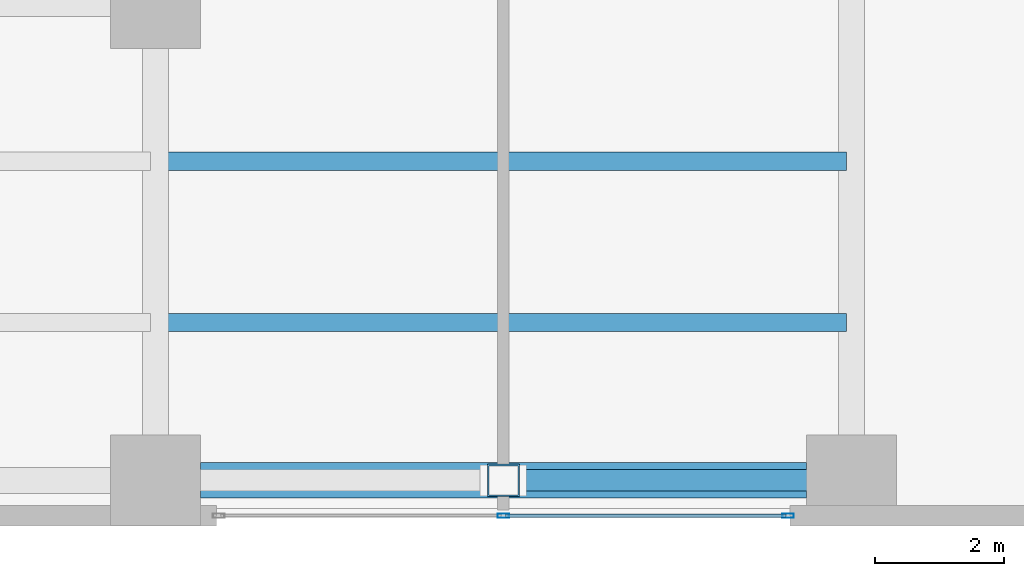
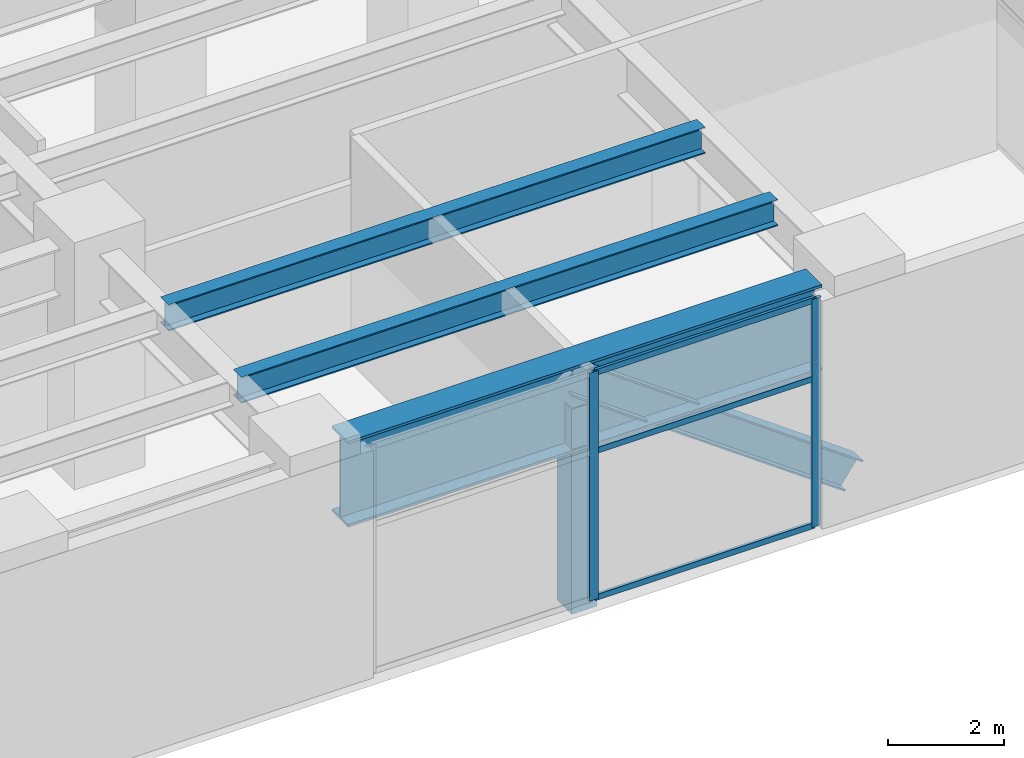
# One storey, part 7 of 29: 6 members, 4 beams, 1 element without a shape of its own.
"""IFC4 building model written with IfcOpenShell, lengths in metres."""

import ifcopenshell
import ifcopenshell.guid

model = None  # the IFC model being written
_history = None  # IfcOwnerHistory: only IFC2X3 demands one
_inside = {}  # id of a spatial element -> (the spatial element, [elements in it])
_under = {}  # id of a project, library or spatial element -> (it, [spatial elements below it])
_declared = {}  # id of a project -> (the project, [libraries it declares])
_typed = {}  # id of a type object -> (the type object, [elements of that type])
_made_of = {}  # id of a material, layer set ... -> (it, [elements and type objects made of it])


def new_model(schema):
    """Start an empty IFC model of exactly this schema.

    Asked for "IFC4X3", IfcOpenShell would pick the latest addendum, in which some entities
    have other attributes; the version numbers below select the first issue.
    IFC2X3 requires an IfcOwnerHistory on every rooted entity: one is made here for all.
    """
    global model, _history
    if schema == "IFC4X3":
        model = ifcopenshell.file(schema_version=(4, 3, 0, 0))
    else:
        model = ifcopenshell.file(schema=schema)
    _inside.clear()
    _under.clear()
    _declared.clear()
    _typed.clear()
    _made_of.clear()
    _history = None
    if model.schema == "IFC2X3":
        org = make("IfcOrganization", Name="unknown")
        user = make(
            "IfcPersonAndOrganization",
            ThePerson=make("IfcPerson", FamilyName="unknown"),
            TheOrganization=org,
        )
        app = make(
            "IfcApplication",
            ApplicationDeveloper=org,
            Version="unknown",
            ApplicationFullName="unknown",
            ApplicationIdentifier="unknown",
        )
        _history = make(
            "IfcOwnerHistory",
            OwningUser=user,
            OwningApplication=app,
            ChangeAction="ADDED",
            CreationDate=0,
        )
    return model


def make(cls, **values):
    """One entity of the class cls with the attributes given. An attribute that is None is left unset."""
    return model.create_entity(
        cls, **{name: value for name, value in values.items() if value is not None}
    )


def rooted(cls, **values):
    """An entity with a GlobalId (a new one), such as an element, a storey or a relation."""
    return make(cls, GlobalId=ifcopenshell.guid.new(), OwnerHistory=_history, **values)


def si_unit(unit_type, name, prefix=None):
    """IfcSIUnit, for example si_unit("LENGTHUNIT", "METRE", prefix="MILLI")."""
    return make("IfcSIUnit", UnitType=unit_type, Prefix=prefix, Name=name)


def assignment(units):
    """IfcUnitAssignment: the units of a project."""
    return None if units is None else make("IfcUnitAssignment", Units=units)


def point(xyz):
    """IfcCartesianPoint."""
    return None if xyz is None else make("IfcCartesianPoint", Coordinates=xyz)


def direction(xyz):
    """IfcDirection."""
    return None if xyz is None else make("IfcDirection", DirectionRatios=xyz)


def frame(location, z_axis=None, x_axis=None):
    """IfcAxis2Placement3D, a coordinate frame: its origin and axes. An axis left out is left unset."""
    return make(
        "IfcAxis2Placement3D",
        Location=point(location),
        Axis=direction(z_axis),
        RefDirection=direction(x_axis),
    )


def frame_2d(location, x_axis=None):
    """IfcAxis2Placement2D, a coordinate frame in the plane: its origin and x axis."""
    return make(
        "IfcAxis2Placement2D", Location=point(location), RefDirection=direction(x_axis)
    )


def origin():
    """The frame at (0, 0, 0) with its axes left unset."""
    return frame((0.0, 0.0, 0.0))


def origin_2d():
    """The frame at (0, 0) in the plane with its x axis left unset."""
    return frame_2d((0.0, 0.0))


def place(relative_to, where):
    """IfcLocalPlacement: puts the frame where relative to a parent placement (None: the world)."""
    return make(
        "IfcLocalPlacement", PlacementRelTo=relative_to, RelativePlacement=where
    )


def context(
    kind, dimensions, precision=None, world=None, true_north=None, identifier=None
):
    """IfcGeometricRepresentationContext, for example the 3D "Model" context."""
    return make(
        "IfcGeometricRepresentationContext",
        ContextIdentifier=identifier,
        ContextType=kind,
        CoordinateSpaceDimension=dimensions,
        Precision=precision,
        WorldCoordinateSystem=world,
        TrueNorth=true_north,
    )


def subcontext(parent, identifier, kind, view, scale=None):
    """IfcGeometricRepresentationSubContext, for example "Body" below "Model"."""
    return make(
        "IfcGeometricRepresentationSubContext",
        ContextIdentifier=identifier,
        ContextType=kind,
        ParentContext=parent,
        TargetScale=scale,
        TargetView=view,
    )


def project(units=None, contexts=None):
    """IfcProject with its units and contexts."""
    return rooted(
        "IfcProject",
        Name="project",
        RepresentationContexts=contexts,
        UnitsInContext=assignment(units),
    )


def spatial(cls, under=None, at=None, **own):
    """A site, building, storey or space (cls), placed at a placement, below another one or the project."""
    s = rooted(cls, ObjectPlacement=at, **own)
    if under is not None:
        _under.setdefault(under.id(), (under, []))[1].append(s)
    return s


def profile(cls, at=None, kind="AREA", **sizes):
    """A parametric profile (cls). Its sizes go by their IFC names, for example OverallWidth=200.0."""
    return make(cls, ProfileType=kind, Position=at, **sizes)


def hollow_rectangle(**sizes):
    """IfcRectangleHollowProfileDef."""
    return profile("IfcRectangleHollowProfileDef", **sizes)


def i_section(**sizes):
    """IfcIShapeProfileDef."""
    return profile("IfcIShapeProfileDef", **sizes)


def extrude(swept, where, along, depth):
    """IfcExtrudedAreaSolid: the profile swept, set in the frame where, extruded along a direction by depth."""
    return make(
        "IfcExtrudedAreaSolid",
        SweptArea=swept,
        Position=where,
        ExtrudedDirection=direction(along),
        Depth=depth,
    )


def shape(context_of_items, identifier, shape_type, items):
    """IfcShapeRepresentation: the items that make up one representation, for example the "Body"."""
    return make(
        "IfcShapeRepresentation",
        ContextOfItems=context_of_items,
        RepresentationIdentifier=identifier,
        RepresentationType=shape_type,
        Items=items,
    )


def material(Name=None, Category=None):
    """IfcMaterial."""
    return make("IfcMaterial", Name=Name, Category=Category)


def layer(
    of_material, thickness, ventilated=None, Name=None, Category=None, Priority=None
):
    """IfcMaterialLayer: one layer of a wall or slab, of a material (None: an air gap)."""
    return make(
        "IfcMaterialLayer",
        Material=of_material,
        LayerThickness=thickness,
        IsVentilated=ventilated,
        Name=Name,
        Category=Category,
        Priority=Priority,
    )


def layer_set(layers, Name=None):
    """IfcMaterialLayerSet."""
    return make("IfcMaterialLayerSet", MaterialLayers=layers, LayerSetName=Name)


def material_profile(
    of_material, cross_section, Name=None, Category=None, Priority=None
):
    """IfcMaterialProfile: a cross section and its material."""
    return make(
        "IfcMaterialProfile",
        Name=Name,
        Material=of_material,
        Profile=cross_section,
        Priority=Priority,
        Category=Category,
    )


def profile_set(profiles, Name=None, composite=None):
    """IfcMaterialProfileSet."""
    return make(
        "IfcMaterialProfileSet",
        Name=Name,
        MaterialProfiles=profiles,
        CompositeProfile=composite,
    )


def made_of(thing, what):
    """Note that an element or type object is made of a material, layer set ...; save() writes the relation."""
    if what is not None:
        _made_of.setdefault(what.id(), (what, []))[1].append(thing)
    return thing


def type_object(cls, material=None, **own):
    """A type object (cls), such as IfcWallType, which elements share."""
    return made_of(rooted(cls, **own), material)


def element(
    cls,
    number,
    at=None,
    inside=None,
    cuts=None,
    type_object=None,
    material=None,
    context=None,
    identifier="Body",
    shape_type=None,
    held_by="IfcProductDefinitionShape",
    body=None,
    shapes=None,
    **own,
):
    """One element of the class cls, such as IfcWall. Its Tag is "e" and its number.

    at: its placement. inside: the storey or other place that contains it. cuts: it is an
    opening in that element (IfcRelVoidsElement). A single representation is given by context,
    identifier, shape_type and body (its items); several are given by shapes. held_by: the class
    of the entity that holds the representations. save() writes the other relations.
    """
    e = rooted(cls, Tag="e%d" % number, ObjectPlacement=at, **own)
    if body is not None:
        shapes = [shape(context, identifier, shape_type, body)]
    if shapes is not None:
        e.Representation = make(held_by, Representations=shapes)
    if inside is not None:
        _inside.setdefault(inside.id(), (inside, []))[1].append(e)
    if cuts is not None:
        rooted(
            "IfcRelVoidsElement", RelatingBuildingElement=cuts, RelatedOpeningElement=e
        )
    if type_object is not None:
        _typed.setdefault(type_object.id(), (type_object, []))[1].append(e)
    return made_of(e, material)


def aggregate(whole, parts):
    """IfcRelAggregates: a whole, such as a stair, and the parts it consists of."""
    return rooted("IfcRelAggregates", RelatingObject=whole, RelatedObjects=parts)


def save(model, path):
    """Write the relations noted so far, then the file.

    IfcRelAggregates (storeys below a building ...), IfcRelContainedInSpatialStructure (elements
    in a storey), IfcRelDefinesByType, IfcRelAssociatesMaterial and IfcRelDeclares: one each for
    every whole, place, type object, material and project.
    """
    for whole, parts in _under.values():
        aggregate(whole, parts)
    for where, things in _inside.values():
        rooted(
            "IfcRelContainedInSpatialStructure",
            RelatedElements=things,
            RelatingStructure=where,
        )
    for kind, things in _typed.values():
        rooted("IfcRelDefinesByType", RelatedObjects=things, RelatingType=kind)
    for what, things in _made_of.values():
        rooted("IfcRelAssociatesMaterial", RelatedObjects=things, RelatingMaterial=what)
    for by, libraries in _declared.values():
        rooted("IfcRelDeclares", RelatingContext=by, RelatedDefinitions=libraries)
    model.write(path)


model = new_model("IFC4")

# Units and contexts
model_context = context("Model", 3, precision=1e-05, world=origin(), true_north=direction((0.0, 1.0)))
body_context = subcontext(model_context, "Body", "Model", "MODEL_VIEW")
ifc_project = project(units=[si_unit("LENGTHUNIT", "METRE"), si_unit("AREAUNIT", "SQUARE_METRE"), si_unit("VOLUMEUNIT", "CUBIC_METRE"), si_unit("PLANEANGLEUNIT", "RADIAN"), si_unit("MASSUNIT", "GRAM", prefix="KILO")], contexts=[model_context])

# Site, building, storey
site_placement = place(None, origin())
site = spatial("IfcSite", under=ifc_project, at=site_placement, CompositionType="ELEMENT")
building_placement = place(site_placement, origin())
building = spatial("IfcBuilding", under=site, at=building_placement, Name="Mawjaban Terraces University", CompositionType="ELEMENT")
storey_placement = place(building_placement, frame((0.0, 0.0, 20.800048828125)))
storey = spatial("IfcBuildingStorey", under=building, at=storey_placement, Name="L04", CompositionType="ELEMENT", Elevation=20.800048828125)

# Beams
ifc_material_1 = material(Name="Steel ASTM A572 Grade 50", Category="steel")
ifc_material_profile_1 = material_profile(ifc_material_1, i_section(OverallWidth=0.281005859375, OverallDepth=0.551025390625, WebThickness=0.01513671875, FlangeThickness=0.02587890625, at=origin_2d()), Name="W530X182")
ifc_profile_set_1 = profile_set([ifc_material_profile_1], Name="Steel ASTM A572 Grade 50")
beam_type_1 = type_object("IfcBeamType", Name="Beam_J_W530X182", PredefinedType="JOIST", material=ifc_profile_set_1)
for number, where, z_axis, x_axis, name in (
    (1, (57.8798828125, 3.0, 4.50390625), (1.0, 0.0, 0.0), (0.0, 1.0, 0.0), "L04 Composite Joist JST-L04-03"),
    (2, (57.8798828125, 5.5, 4.50390625), (1.0, 0.0, 0.0), (0.0, 1.0, 0.0), "L04 Composite Joist JST-L04-06"),
):
    element("IfcBeam", number, at=place(storey_placement, frame(where, z_axis=z_axis, x_axis=x_axis)), inside=storey, type_object=beam_type_1, Name=name, PredefinedType="JOIST", context=body_context, shape_type="SweptSolid", body=[
        extrude(i_section(OverallWidth=0.281005859375, OverallDepth=0.551025390625, WebThickness=0.01513671875, FlangeThickness=0.02587890625, at=origin_2d()), origin(), (0.0, 0.0, 1.0), 10.64013671875),
    ])
ifc_material_profile_2 = material_profile(ifc_material_1, i_section(OverallWidth=0.550048828125, OverallDepth=1.800048828125, WebThickness=0.031982421875, FlangeThickness=0.054931640625, at=origin_2d()), Name="PG1800X550")
ifc_profile_set_2 = profile_set([ifc_material_profile_2], Name="Steel ASTM A572 Grade 50")
beam_type_2 = type_object("IfcBeamType", Name="Beam_TG_PG1800X550", PredefinedType="BEAM", material=ifc_profile_set_2)
beam_1_placement = place(storey_placement, frame((58.5, 0.550048828125, 3.8798828125), z_axis=(1.0, 0.0, 0.0), x_axis=(0.0, 1.0, 0.0)))
element("IfcBeam", 3, at=beam_1_placement, inside=storey, type_object=beam_type_2, Name="L04 Beam BM-L04-EW-03", PredefinedType="BEAM", context=body_context, shape_type="SweptSolid", body=[
    extrude(i_section(OverallWidth=0.550048828125, OverallDepth=1.800048828125, WebThickness=0.031982421875, FlangeThickness=0.054931640625, at=origin_2d()), origin(), (0.0, 0.0, 1.0), 9.39990234375),
])
ifc_material_2 = material(Name="Steel ASTM A913 Grade 65", Category="steel")
ifc_material_profile_3 = material_profile(ifc_material_2, i_section(OverallWidth=0.3291015625, OverallDepth=0.635009765625, WebThickness=0.017822265625, FlangeThickness=0.031005859375, at=origin_2d()), Name="W610X241")
ifc_profile_set_3 = profile_set([ifc_material_profile_3], Name="Steel ASTM A913 Grade 65")
beam_type_3 = type_object("IfcBeamType", Name="Beam_TTV_W610X241", PredefinedType="BEAM", material=ifc_profile_set_3)
beam_2_placement = place(storey_placement, frame((68.60009765625, 0.550048828125, 0.449951171875), z_axis=(-0.812120304863, 0.0, 0.58349002599), x_axis=(0.0, -1.0, 0.0)))
element("IfcBeam", 4, at=beam_2_placement, inside=storey, type_object=beam_type_3, Name="L04 Exterior Portal Strut TP-S2-2", PredefinedType="BEAM", context=body_context, shape_type="SweptSolid", body=[
    extrude(i_section(OverallWidth=0.3291015625, OverallDepth=0.635009765625, WebThickness=0.017822265625, FlangeThickness=0.031005859375, at=origin_2d()), origin(), (0.0, 0.0, 1.0), 6.6494140625),
])

# Member
ifc_material_3 = material(Name="Steel EN 10210-1 S355J2H", Category="steel")
ifc_material_profile_4 = material_profile(ifc_material_3, hollow_rectangle(XDim=0.5, YDim=0.5, WallThickness=0.02490234375, at=origin_2d()), Name="SHS500X500X25")
ifc_profile_set_4 = profile_set([ifc_material_profile_4], Name="Steel EN 10210-1 S355J2H")
member_type_1 = type_object("IfcMemberType", Name="Mem_STRUT_SHS500X500X25", PredefinedType="STRUT", material=ifc_profile_set_4)
member_1_placement = place(storey_placement, frame((63.199951171875, 0.550048828125, -0.420166015625), z_axis=(0.0, 0.0, 1.0), x_axis=(1.0, 0.0, 0.0)))
element("IfcMember", 5, at=member_1_placement, inside=storey, type_object=member_type_1, Name="L04 Portal Vertical Strut TP-S2", PredefinedType="STRUT", context=body_context, shape_type="SweptSolid", body=[
    extrude(hollow_rectangle(XDim=0.5, YDim=0.5, WallThickness=0.02490234375, at=origin_2d()), origin(), (0.0, 0.0, 1.0), 4.300048828125),
])

# Curtain wall, members
ifc_material_4 = material(Name="Anodised aluminium 6063-T6 and solar-control low-E glass", Category="aluminium")
ifc_layer = layer(ifc_material_4, 0.175048828125)
ifc_layer_set = layer_set([ifc_layer], Name="Anodised aluminium 6063-T6 and solar-control low-E glass")
curtain_wall_type = type_object("IfcCurtainWallType", Name="CWSystem_02_PodiumLibrary", PredefinedType="NOTDEFINED", material=ifc_layer_set)
curtain_wall_placement = place(storey_placement, origin())
curtain_wall = element("IfcCurtainWall", 6, at=curtain_wall_placement, inside=storey, type_object=curtain_wall_type, Name="L04 Curtain Wall CW-02 Run 1.3", PredefinedType="NOTDEFINED")
ifc_material_5 = material(Name="Anodised aluminium 6063-T6", Category="aluminium")
ifc_material_profile_5 = material_profile(ifc_material_5, hollow_rectangle(XDim=0.06494140625, YDim=0.179931640625, WallThickness=0.00390625, at=origin_2d()), Name="ALU180X65X4")
ifc_profile_set_5 = profile_set([ifc_material_profile_5], Name="Anodised aluminium 6063-T6")
member_type_2 = type_object("IfcMemberType", Name="Mullion_CW-02", PredefinedType="MULLION", material=ifc_profile_set_5)
member_2_placement = place(storey_placement, frame((63.199951171875, 0.0, 0.0), z_axis=(0.0, 0.0, 1.0), x_axis=(0.0, 1.0, 0.0)))
member_2 = element("IfcMember", 7, at=member_2_placement, type_object=member_type_2, Name="CW-02 mullion 2", PredefinedType="MULLION", context=body_context, shape_type="SweptSolid", body=[
    extrude(hollow_rectangle(XDim=0.06494140625, YDim=0.179931640625, WallThickness=0.00390625, at=origin_2d()), origin(), (0.0, 0.0, 1.0), 4.780029296875),
])
member_3_placement = place(storey_placement, frame((67.617431640625, 0.0, 0.0), z_axis=(0.0, 0.0, 1.0), x_axis=(0.0, 1.0, 0.0)))
member_3 = element("IfcMember", 8, at=member_3_placement, type_object=member_type_2, Name="CW-02 mullion 3", PredefinedType="MULLION", context=body_context, shape_type="SweptSolid", body=[
    extrude(hollow_rectangle(XDim=0.06494140625, YDim=0.179931640625, WallThickness=0.00390625, at=origin_2d()), origin(), (0.0, 0.0, 1.0), 4.780029296875),
])
ifc_material_profile_6 = material_profile(ifc_material_5, hollow_rectangle(XDim=0.06005859375, YDim=0.1201171875, WallThickness=0.00341796875, at=origin_2d()), Name="ALU120X60X3.5")
ifc_profile_set_6 = profile_set([ifc_material_profile_6], Name="Anodised aluminium 6063-T6")
member_type_3 = type_object("IfcMemberType", Name="Transom_CW-02", PredefinedType="NOTDEFINED", material=ifc_profile_set_6)
member_4_placement = place(storey_placement, frame((63.232421875, 0.0, 0.030029296875), z_axis=(1.0, 0.0, 0.0), x_axis=(0.0, 1.0, 0.0)))
member_4 = element("IfcMember", 9, at=member_4_placement, type_object=member_type_3, Name="CW-02 transom 2.1", ObjectType="TRANSOM", PredefinedType="USERDEFINED", context=body_context, shape_type="SweptSolid", body=[
    extrude(hollow_rectangle(XDim=0.06005859375, YDim=0.1201171875, WallThickness=0.00341796875, at=origin_2d()), origin(), (0.0, 0.0, 1.0), 4.3525390625),
])
member_5_placement = place(storey_placement, frame((63.232421875, 0.0, 3.10693359375), z_axis=(1.0, 0.0, 0.0), x_axis=(0.0, 1.0, 0.0)))
member_5 = element("IfcMember", 10, at=member_5_placement, type_object=member_type_3, Name="CW-02 transom 2.2", ObjectType="TRANSOM", PredefinedType="USERDEFINED", context=body_context, shape_type="SweptSolid", body=[
    extrude(hollow_rectangle(XDim=0.06005859375, YDim=0.1201171875, WallThickness=0.00341796875, at=origin_2d()), origin(), (0.0, 0.0, 1.0), 4.3525390625),
])
member_6_placement = place(storey_placement, frame((63.232421875, 0.0, 4.75), z_axis=(1.0, 0.0, 0.0), x_axis=(0.0, 1.0, 0.0)))
member_6 = element("IfcMember", 11, at=member_6_placement, type_object=member_type_3, Name="CW-02 transom 2.3", ObjectType="TRANSOM", PredefinedType="USERDEFINED", context=body_context, shape_type="SweptSolid", body=[
    extrude(hollow_rectangle(XDim=0.06005859375, YDim=0.1201171875, WallThickness=0.00341796875, at=origin_2d()), origin(), (0.0, 0.0, 1.0), 4.3525390625),
])
aggregate(curtain_wall, [member_2, member_3, member_4, member_5, member_6])

save(model, "model.ifc")
